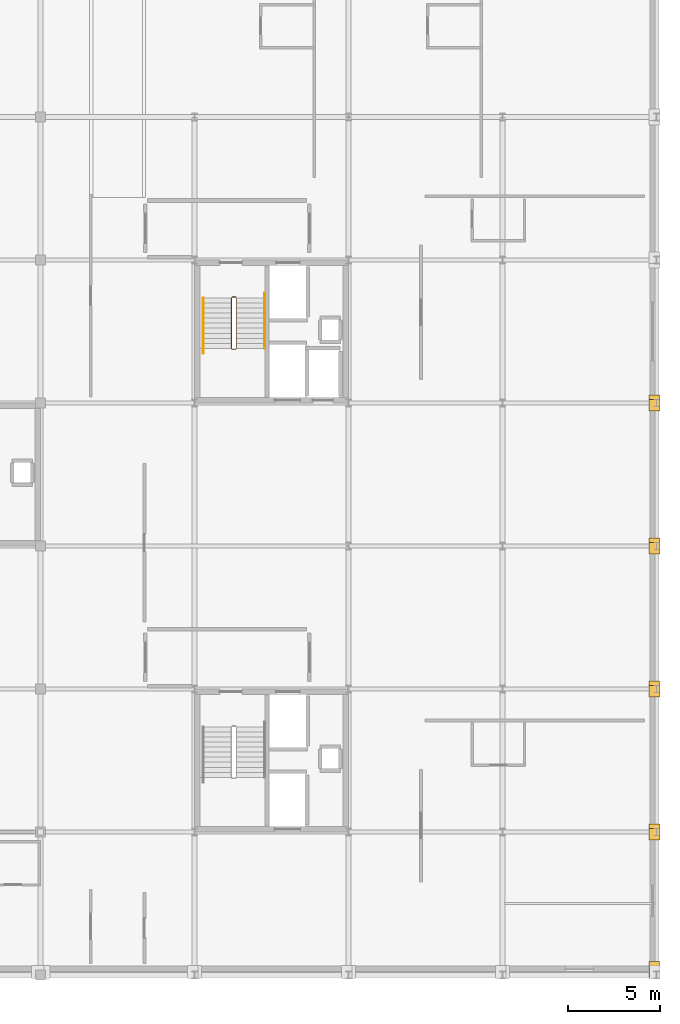
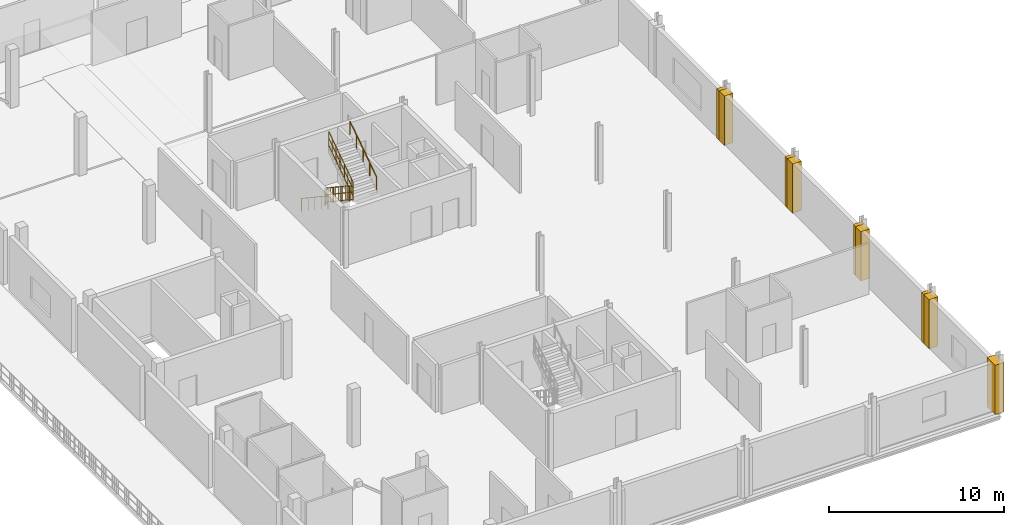
# One storey, part 13 of 16: 9 coverings, 6 railings.
"""IFC4 building model written with IfcOpenShell, lengths in metres."""

from ifc_helpers import new_model, si_unit, direction, frame, origin, origin_2d, place, context, subcontext, project, spatial, polyline, circle, outline, extrude, material, layer, layer_set, type_object, element, save


model = new_model("IFC4")

# Units and contexts
model_context = context("Model", 3, precision=1e-05, world=origin(), true_north=direction((0.0, 1.0)))
body_context = subcontext(model_context, "Body", "Model", "MODEL_VIEW")
ifc_project = project(units=[si_unit("LENGTHUNIT", "METRE"), si_unit("AREAUNIT", "SQUARE_METRE"), si_unit("VOLUMEUNIT", "CUBIC_METRE"), si_unit("PLANEANGLEUNIT", "RADIAN"), si_unit("MASSUNIT", "GRAM", prefix="KILO")], contexts=[model_context])

# Site, building, storey
site_placement = place(None, origin())
site = spatial("IfcSite", under=ifc_project, at=site_placement, CompositionType="ELEMENT")
building_placement = place(site_placement, origin())
building = spatial("IfcBuilding", under=site, at=building_placement, Name="Nabrawat Pavilion Hospital", CompositionType="ELEMENT")
storey_placement = place(building_placement, frame((0.0, 0.0, 31.050048828125)))
storey = spatial("IfcBuildingStorey", under=building, at=storey_placement, Name="L07", CompositionType="ELEMENT", Elevation=31.050048828125)

# Coverings
ifc_material_1 = material(Name="Precast concrete C40/50", Category="concrete")
ifc_layer_1 = layer(ifc_material_1, 0.360107421875, Name="Precast concrete C40/50")
ifc_layer_set_1 = layer_set([ifc_layer_1], Name="Precast concrete C40/50")
covering_type = type_object("IfcCoveringType", Name="Architectural Precast Column-Jamb Closure Reveal", PredefinedType="CLADDING", material=ifc_layer_set_1)
covering_1_placement = place(storey_placement, origin())
element("IfcCovering", 1, at=covering_1_placement, inside=storey, type_object=covering_type, Name="L07 Precast Facade Column-Jamb Weatherseal Closure 0649", PredefinedType="CLADDING", context=body_context, shape_type="SweptSolid", body=[
    extrude(outline(polyline([(193.3798828125, 38.820068359375), (193.3798828125, 39.739990234375), (192.800048828125, 39.739990234375), (192.800048828125, 38.820068359375), (193.3798828125, 38.820068359375)])), origin(), (0.0, 0.0, 1.0), 3.43994140625),
])
covering_2_placement = place(storey_placement, origin())
element("IfcCovering", 2, at=covering_2_placement, inside=storey, type_object=covering_type, Name="L07 Precast Facade Column-Jamb Weatherseal Closure 0650", PredefinedType="CLADDING", context=body_context, shape_type="SweptSolid", body=[
    extrude(outline(polyline([(193.3798828125, 46.3701171875), (193.3798828125, 46.97998046875), (192.800048828125, 46.97998046875), (192.800048828125, 46.3701171875), (193.3798828125, 46.3701171875)])), origin(), (0.0, 0.0, 1.0), 3.43994140625),
])
covering_3_placement = place(storey_placement, origin())
element("IfcCovering", 3, at=covering_3_placement, inside=storey, type_object=covering_type, Name="L07 Precast Facade Column-Jamb Weatherseal Closure 0651", PredefinedType="CLADDING", context=body_context, shape_type="SweptSolid", body=[
    extrude(outline(polyline([(193.3798828125, 46.6201171875), (193.3798828125, 47.22998046875), (192.800048828125, 47.22998046875), (192.800048828125, 46.6201171875), (193.3798828125, 46.6201171875)])), origin(), (0.0, 0.0, 1.0), 3.43994140625),
])
covering_4_placement = place(storey_placement, origin())
element("IfcCovering", 4, at=covering_4_placement, inside=storey, type_object=covering_type, Name="L07 Precast Facade Column-Jamb Weatherseal Closure 0652", PredefinedType="CLADDING", context=body_context, shape_type="SweptSolid", body=[
    extrude(outline(polyline([(193.3798828125, 54.169921875), (193.3798828125, 54.780029296875), (192.800048828125, 54.780029296875), (192.800048828125, 54.169921875), (193.3798828125, 54.169921875)])), origin(), (0.0, 0.0, 1.0), 3.43994140625),
])
covering_5_placement = place(storey_placement, origin())
element("IfcCovering", 5, at=covering_5_placement, inside=storey, type_object=covering_type, Name="L07 Precast Facade Column-Jamb Weatherseal Closure 0653", PredefinedType="CLADDING", context=body_context, shape_type="SweptSolid", body=[
    extrude(outline(polyline([(193.3798828125, 54.419921875), (193.3798828125, 55.030029296875), (192.800048828125, 55.030029296875), (192.800048828125, 54.419921875), (193.3798828125, 54.419921875)])), origin(), (0.0, 0.0, 1.0), 3.43994140625),
])
covering_6_placement = place(storey_placement, origin())
element("IfcCovering", 6, at=covering_6_placement, inside=storey, type_object=covering_type, Name="L07 Precast Facade Column-Jamb Weatherseal Closure 0654", PredefinedType="CLADDING", context=body_context, shape_type="SweptSolid", body=[
    extrude(outline(polyline([(193.3798828125, 61.969970703125), (193.3798828125, 62.580078125), (192.800048828125, 62.580078125), (192.800048828125, 61.969970703125), (193.3798828125, 61.969970703125)])), origin(), (0.0, 0.0, 1.0), 3.43994140625),
])
covering_7_placement = place(storey_placement, origin())
element("IfcCovering", 7, at=covering_7_placement, inside=storey, type_object=covering_type, Name="L07 Precast Facade Column-Jamb Weatherseal Closure 0655", PredefinedType="CLADDING", context=body_context, shape_type="SweptSolid", body=[
    extrude(outline(polyline([(193.3798828125, 62.219970703125), (193.3798828125, 62.830078125), (192.800048828125, 62.830078125), (192.800048828125, 62.219970703125), (193.3798828125, 62.219970703125)])), origin(), (0.0, 0.0, 1.0), 3.43994140625),
])
covering_8_placement = place(storey_placement, origin())
element("IfcCovering", 8, at=covering_8_placement, inside=storey, type_object=covering_type, Name="L07 Precast Facade Column-Jamb Weatherseal Closure 0656", PredefinedType="CLADDING", context=body_context, shape_type="SweptSolid", body=[
    extrude(outline(polyline([(193.3798828125, 69.77001953125), (193.3798828125, 70.3798828125), (192.800048828125, 70.3798828125), (192.800048828125, 69.77001953125), (193.3798828125, 69.77001953125)])), origin(), (0.0, 0.0, 1.0), 3.43994140625),
])
covering_9_placement = place(storey_placement, origin())
element("IfcCovering", 9, at=covering_9_placement, inside=storey, type_object=covering_type, Name="L07 Precast Facade Column-Jamb Weatherseal Closure 0657", PredefinedType="CLADDING", context=body_context, shape_type="SweptSolid", body=[
    extrude(outline(polyline([(193.3798828125, 70.02001953125), (193.3798828125, 70.6298828125), (192.800048828125, 70.6298828125), (192.800048828125, 70.02001953125), (193.3798828125, 70.02001953125)])), origin(), (0.0, 0.0, 1.0), 3.43994140625),
])

# Railings
ifc_material_2 = material(Name="Stainless Steel 316", Category="steel")
ifc_layer_2 = layer(ifc_material_2, 0.050048828125, Name="Stainless Steel 316")
ifc_layer_set_2 = layer_set([ifc_layer_2], Name="Stainless Steel 316")
railing_type_1 = type_object("IfcRailingType", Name="Stair Open-Well Safety Guardrail 1100", PredefinedType="GUARDRAIL", material=ifc_layer_set_2)
railing_1_placement = place(storey_placement, frame((170.02490234375, 75.929931640625, 0.18408203125)))
element("IfcRailing", 10, at=railing_1_placement, inside=storey, type_object=railing_type_1, Name="L07 ST-06 stair guard 1", PredefinedType="GUARDRAIL", context=body_context, shape_type="SweptSolid", body=[
    extrude(circle(Radius=0.02392578125, at=origin_2d()), frame((0.0, 0.0, 1.076171875), z_axis=(0.0, -0.831004616288, 0.556265519071), x_axis=(1.0, 0.0, 0.0)), (0.0, 0.0, 1.0), 3.309326171875),
    extrude(circle(Radius=0.02392578125, at=origin_2d()), frame((0.0, 0.0, 0.10009765625), z_axis=(0.0, -0.831004616288, 0.556265519071), x_axis=(1.0, 0.0, 0.0)), (0.0, 0.0, 1.0), 3.309326171875),
    extrude(circle(Radius=0.02392578125, at=origin_2d()), frame((0.0, 0.0, 0.60498046875), z_axis=(0.0, -0.831004616288, 0.556265519071), x_axis=(1.0, 0.0, 0.0)), (0.0, 0.0, 1.0), 3.309326171875),
    extrude(circle(Radius=0.008056640625, at=origin_2d()), frame((0.0, -0.196533203125, 0.2314453125)), (0.0, 0.0, 1.0), 0.951904296875),
    extrude(circle(Radius=0.008056640625, at=origin_2d()), frame((0.0, -0.392822265625, 0.363037109375)), (0.0, 0.0, 1.0), 0.951904296875),
    extrude(circle(Radius=0.008056640625, at=origin_2d()), frame((0.0, -0.58935546875, 0.494384765625)), (0.0, 0.0, 1.0), 0.951904296875),
    extrude(circle(Radius=0.008056640625, at=origin_2d()), frame((0.0, -0.78564453125, 0.6259765625)), (0.0, 0.0, 1.0), 0.951904296875),
    extrude(circle(Radius=0.008056640625, at=origin_2d()), frame((0.0, -0.982177734375, 0.75732421875)), (0.0, 0.0, 1.0), 0.951904296875),
    extrude(circle(Radius=0.008056640625, at=origin_2d()), frame((0.0, -1.178466796875, 0.888916015625)), (0.0, 0.0, 1.0), 0.951904296875),
    extrude(circle(Radius=0.008056640625, at=origin_2d()), frame((0.0, -1.375, 1.0205078125)), (0.0, 0.0, 1.0), 0.951904296875),
    extrude(circle(Radius=0.008056640625, at=origin_2d()), frame((0.0, -1.571533203125, 1.15185546875)), (0.0, 0.0, 1.0), 0.951904296875),
    extrude(circle(Radius=0.008056640625, at=origin_2d()), frame((0.0, -1.767822265625, 1.283447265625)), (0.0, 0.0, 1.0), 0.951904296875),
    extrude(circle(Radius=0.008056640625, at=origin_2d()), frame((0.0, -1.96435546875, 1.414794921875)), (0.0, 0.0, 1.0), 0.951904296875),
    extrude(circle(Radius=0.008056640625, at=origin_2d()), frame((0.0, -2.16064453125, 1.54638671875)), (0.0, 0.0, 1.0), 0.951904296875),
    extrude(circle(Radius=0.008056640625, at=origin_2d()), frame((0.0, -2.357177734375, 1.677734375)), (0.0, 0.0, 1.0), 0.951904296875),
    extrude(circle(Radius=0.008056640625, at=origin_2d()), frame((0.0, -2.553466796875, 1.809326171875)), (0.0, 0.0, 1.0), 0.951904296875),
    extrude(circle(Radius=0.02099609375, at=origin_2d()), origin(), (0.0, 0.0, 1.0), 1.052001953125),
    extrude(circle(Radius=0.02099609375, at=origin_2d()), frame((0.0, -0.916748046875, 0.613525390625)), (0.0, 0.0, 1.0), 1.052001953125),
    extrude(circle(Radius=0.02099609375, at=origin_2d()), frame((0.0, -1.833251953125, 1.227294921875)), (0.0, 0.0, 1.0), 1.052001953125),
    extrude(circle(Radius=0.02099609375, at=origin_2d()), frame((0.0, -2.75, 1.8408203125)), (0.0, 0.0, 1.0), 1.052001953125),
])
railing_2_placement = place(storey_placement, frame((170.050048828125, 73.1298828125, 2.02490234375)))
element("IfcRailing", 11, at=railing_2_placement, inside=storey, type_object=railing_type_1, Name="L07 ST-06 stair guard 2", PredefinedType="GUARDRAIL", context=body_context, shape_type="SweptSolid", body=[
    extrude(circle(Radius=0.02392578125, at=origin_2d()), frame((0.0, 0.0, 1.076171875), z_axis=(1.0, 0.0, 0.0), x_axis=(0.0, 1.0, 0.0)), (0.0, 0.0, 1.0), 0.199951171875),
    extrude(circle(Radius=0.02392578125, at=origin_2d()), frame((0.0, 0.0, 0.10009765625), z_axis=(1.0, 0.0, 0.0), x_axis=(0.0, 1.0, 0.0)), (0.0, 0.0, 1.0), 0.199951171875),
    extrude(circle(Radius=0.02392578125, at=origin_2d()), frame((0.0, 0.0, 0.60498046875), z_axis=(1.0, 0.0, 0.0), x_axis=(0.0, 1.0, 0.0)), (0.0, 0.0, 1.0), 0.199951171875),
    extrude(circle(Radius=0.008056640625, at=origin_2d()), frame((0.10009765625, 0.0, 0.10009765625)), (0.0, 0.0, 1.0), 0.951904296875),
    extrude(circle(Radius=0.02099609375, at=origin_2d()), origin(), (0.0, 0.0, 1.0), 1.052001953125),
    extrude(circle(Radius=0.02099609375, at=origin_2d()), frame((0.199951171875, 0.0, 0.0)), (0.0, 0.0, 1.0), 1.052001953125),
])
railing_3_placement = place(storey_placement, frame((170.27490234375, 73.179931640625, 2.208984375)))
element("IfcRailing", 12, at=railing_3_placement, inside=storey, type_object=railing_type_1, Name="L07 ST-06 stair guard 3", PredefinedType="GUARDRAIL", context=body_context, shape_type="SweptSolid", body=[
    extrude(circle(Radius=0.02392578125, at=origin_2d()), frame((0.0, 0.0, 1.076171875), z_axis=(0.0, 0.830970512829, 0.556316462824), x_axis=(-1.0, 0.0, 0.0)), (0.0, 0.0, 1.0), 3.309326171875),
    extrude(circle(Radius=0.02392578125, at=origin_2d()), frame((0.0, 0.0, 0.10009765625), z_axis=(0.0, 0.830970512829, 0.556316462824), x_axis=(-1.0, 0.0, 0.0)), (0.0, 0.0, 1.0), 3.309326171875),
    extrude(circle(Radius=0.02392578125, at=origin_2d()), frame((0.0, 0.0, 0.60498046875), z_axis=(0.0, 0.830970512829, 0.556316462824), x_axis=(-1.0, 0.0, 0.0)), (0.0, 0.0, 1.0), 3.309326171875),
    extrude(circle(Radius=0.008056640625, at=origin_2d()), frame((0.0, 0.196533203125, 0.2314453125)), (0.0, 0.0, 1.0), 0.951904296875),
    extrude(circle(Radius=0.008056640625, at=origin_2d()), frame((0.0, 0.392822265625, 0.363037109375)), (0.0, 0.0, 1.0), 0.951904296875),
    extrude(circle(Radius=0.008056640625, at=origin_2d()), frame((0.0, 0.58935546875, 0.49462890625)), (0.0, 0.0, 1.0), 0.951904296875),
    extrude(circle(Radius=0.008056640625, at=origin_2d()), frame((0.0, 0.78564453125, 0.6259765625)), (0.0, 0.0, 1.0), 0.951904296875),
    extrude(circle(Radius=0.008056640625, at=origin_2d()), frame((0.0, 0.982177734375, 0.757568359375)), (0.0, 0.0, 1.0), 0.951904296875),
    extrude(circle(Radius=0.008056640625, at=origin_2d()), frame((0.0, 1.178466796875, 0.888916015625)), (0.0, 0.0, 1.0), 0.951904296875),
    extrude(circle(Radius=0.008056640625, at=origin_2d()), frame((0.0, 1.375, 1.0205078125)), (0.0, 0.0, 1.0), 0.951904296875),
    extrude(circle(Radius=0.008056640625, at=origin_2d()), frame((0.0, 1.571533203125, 1.152099609375)), (0.0, 0.0, 1.0), 0.951904296875),
    extrude(circle(Radius=0.008056640625, at=origin_2d()), frame((0.0, 1.767822265625, 1.283447265625)), (0.0, 0.0, 1.0), 0.951904296875),
    extrude(circle(Radius=0.008056640625, at=origin_2d()), frame((0.0, 1.96435546875, 1.4150390625)), (0.0, 0.0, 1.0), 0.951904296875),
    extrude(circle(Radius=0.008056640625, at=origin_2d()), frame((0.0, 2.16064453125, 1.546630859375)), (0.0, 0.0, 1.0), 0.951904296875),
    extrude(circle(Radius=0.008056640625, at=origin_2d()), frame((0.0, 2.357177734375, 1.677978515625)), (0.0, 0.0, 1.0), 0.951904296875),
    extrude(circle(Radius=0.008056640625, at=origin_2d()), frame((0.0, 2.553466796875, 1.8095703125)), (0.0, 0.0, 1.0), 0.951904296875),
    extrude(circle(Radius=0.02099609375, at=origin_2d()), origin(), (0.0, 0.0, 1.0), 1.052001953125),
    extrude(circle(Radius=0.02099609375, at=origin_2d()), frame((0.0, 0.916748046875, 0.61376953125)), (0.0, 0.0, 1.0), 1.052001953125),
    extrude(circle(Radius=0.02099609375, at=origin_2d()), frame((0.0, 1.833251953125, 1.227294921875)), (0.0, 0.0, 1.0), 1.052001953125),
    extrude(circle(Radius=0.02099609375, at=origin_2d()), frame((0.0, 2.75, 1.841064453125)), (0.0, 0.0, 1.0), 1.052001953125),
])
railing_4_placement = place(storey_placement, frame((170.050048828125, 75.97998046875, 0.0)))
element("IfcRailing", 13, at=railing_4_placement, inside=storey, type_object=railing_type_1, Name="L07 ST-06 stair guard 4", PredefinedType="GUARDRAIL", context=body_context, shape_type="SweptSolid", body=[
    extrude(circle(Radius=0.02392578125, at=origin_2d()), frame((0.0, 0.0, 1.076171875), z_axis=(1.0, 0.0, 0.0), x_axis=(0.0, 1.0, 0.0)), (0.0, 0.0, 1.0), 0.199951171875),
    extrude(circle(Radius=0.02392578125, at=origin_2d()), frame((0.0, 0.0, 0.10009765625), z_axis=(1.0, 0.0, 0.0), x_axis=(0.0, 1.0, 0.0)), (0.0, 0.0, 1.0), 0.199951171875),
    extrude(circle(Radius=0.02392578125, at=origin_2d()), frame((0.0, 0.0, 0.60498046875), z_axis=(1.0, 0.0, 0.0), x_axis=(0.0, 1.0, 0.0)), (0.0, 0.0, 1.0), 0.199951171875),
    extrude(circle(Radius=0.008056640625, at=origin_2d()), frame((0.10009765625, 0.0, 0.10009765625)), (0.0, 0.0, 1.0), 0.951904296875),
    extrude(circle(Radius=0.02099609375, at=origin_2d()), origin(), (0.0, 0.0, 1.0), 1.052001953125),
    extrude(circle(Radius=0.02099609375, at=origin_2d()), frame((0.199951171875, 0.0, 0.0)), (0.0, 0.0, 1.0), 1.052001953125),
])
ifc_layer_3 = layer(ifc_material_2, 0.044921875, Name="Stainless Steel 316")
ifc_layer_set_3 = layer_set([ifc_layer_3], Name="Stainless Steel 316")
railing_type_2 = type_object("IfcRailingType", Name="Stair Pitch Continuous Handrail 920", PredefinedType="HANDRAIL", material=ifc_layer_set_3)
railing_5_placement = place(storey_placement, frame((168.47509765625, 75.929931640625, 0.18798828125)))
element("IfcRailing", 14, at=railing_5_placement, inside=storey, type_object=railing_type_2, Name="L07 ST-06 stair handrail 1", PredefinedType="HANDRAIL", context=body_context, shape_type="SweptSolid", body=[
    extrude(circle(Radius=0.02392578125, at=origin_2d()), frame((0.0, 0.0, 0.89599609375), z_axis=(0.0, -0.830965310578, 0.556324233353), x_axis=(1.0, 0.0, 0.0)), (0.0, 0.0, 1.0), 3.64013671875),
    extrude(circle(Radius=0.02099609375, at=origin_2d()), origin(), (0.0, 0.0, 1.0), 0.871826171875),
    extrude(circle(Radius=0.02099609375, at=origin_2d()), frame((0.0, -0.75634765625, 0.50634765625)), (0.0, 0.0, 1.0), 0.871826171875),
    extrude(circle(Radius=0.02099609375, at=origin_2d()), frame((0.0, -1.512451171875, 1.0126953125)), (0.0, 0.0, 1.0), 0.871826171875),
    extrude(circle(Radius=0.02099609375, at=origin_2d()), frame((0.0, -2.2685546875, 1.518798828125)), (0.0, 0.0, 1.0), 0.871826171875),
    extrude(circle(Radius=0.02099609375, at=origin_2d()), frame((0.0, -3.02490234375, 2.025146484375)), (0.0, 0.0, 1.0), 0.871826171875),
])
railing_6_placement = place(storey_placement, frame((171.824951171875, 73.179931640625, 2.213134765625)))
element("IfcRailing", 15, at=railing_6_placement, inside=storey, type_object=railing_type_2, Name="L07 ST-06 stair handrail 2", PredefinedType="HANDRAIL", context=body_context, shape_type="SweptSolid", body=[
    extrude(circle(Radius=0.02392578125, at=origin_2d()), frame((0.0, 0.0, 0.89599609375), z_axis=(0.0, 0.831017067507, 0.556246917755), x_axis=(-1.0, 0.0, 0.0)), (0.0, 0.0, 1.0), 3.640380859375),
    extrude(circle(Radius=0.02099609375, at=origin_2d()), origin(), (0.0, 0.0, 1.0), 0.871826171875),
    extrude(circle(Radius=0.02099609375, at=origin_2d()), frame((0.0, 0.75634765625, 0.50634765625)), (0.0, 0.0, 1.0), 0.871826171875),
    extrude(circle(Radius=0.02099609375, at=origin_2d()), frame((0.0, 1.5126953125, 1.012451171875)), (0.0, 0.0, 1.0), 0.871826171875),
    extrude(circle(Radius=0.02099609375, at=origin_2d()), frame((0.0, 2.268798828125, 1.5185546875)), (0.0, 0.0, 1.0), 0.871826171875),
    extrude(circle(Radius=0.02099609375, at=origin_2d()), frame((0.0, 3.025146484375, 2.02490234375)), (0.0, 0.0, 1.0), 0.871826171875),
])

save(model, "model.ifc")
